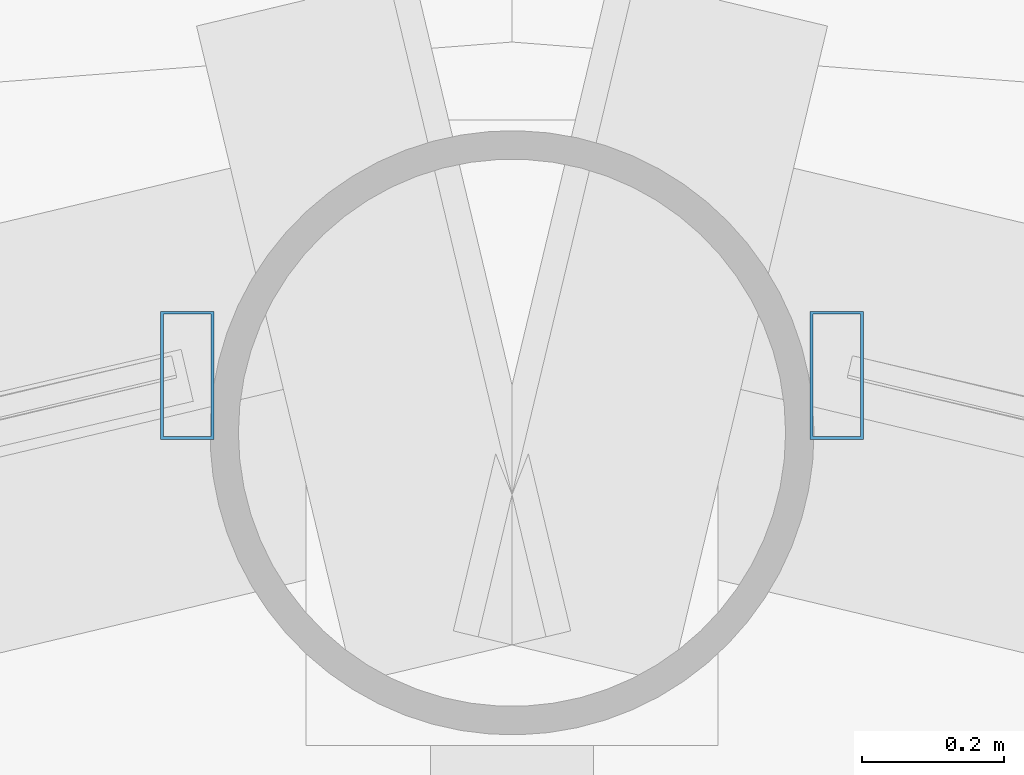
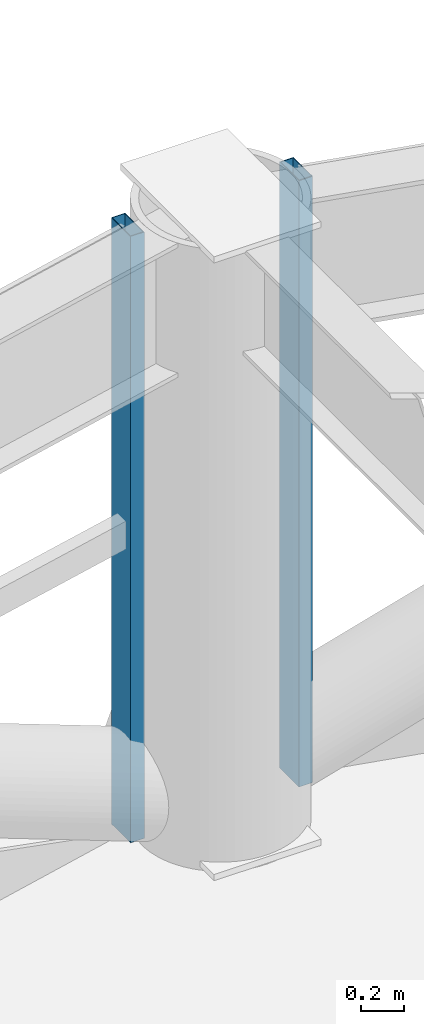
# One storey, part 17 of 30: 2 members, 2 elements without a shape of their own.
"""IFC4 building model written with IfcOpenShell, lengths in metres."""

import ifcopenshell
import ifcopenshell.guid

model = None  # the IFC model being written
_history = None  # IfcOwnerHistory: only IFC2X3 demands one
_inside = {}  # id of a spatial element -> (the spatial element, [elements in it])
_under = {}  # id of a project, library or spatial element -> (it, [spatial elements below it])
_declared = {}  # id of a project -> (the project, [libraries it declares])
_typed = {}  # id of a type object -> (the type object, [elements of that type])
_made_of = {}  # id of a material, layer set ... -> (it, [elements and type objects made of it])


def new_model(schema):
    """Start an empty IFC model of exactly this schema.

    Asked for "IFC4X3", IfcOpenShell would pick the latest addendum, in which some entities
    have other attributes; the version numbers below select the first issue.
    IFC2X3 requires an IfcOwnerHistory on every rooted entity: one is made here for all.
    """
    global model, _history
    if schema == "IFC4X3":
        model = ifcopenshell.file(schema_version=(4, 3, 0, 0))
    else:
        model = ifcopenshell.file(schema=schema)
    _inside.clear()
    _under.clear()
    _declared.clear()
    _typed.clear()
    _made_of.clear()
    _history = None
    if model.schema == "IFC2X3":
        org = make("IfcOrganization", Name="unknown")
        user = make(
            "IfcPersonAndOrganization",
            ThePerson=make("IfcPerson", FamilyName="unknown"),
            TheOrganization=org,
        )
        app = make(
            "IfcApplication",
            ApplicationDeveloper=org,
            Version="unknown",
            ApplicationFullName="unknown",
            ApplicationIdentifier="unknown",
        )
        _history = make(
            "IfcOwnerHistory",
            OwningUser=user,
            OwningApplication=app,
            ChangeAction="ADDED",
            CreationDate=0,
        )
    return model


def make(cls, **values):
    """One entity of the class cls with the attributes given. An attribute that is None is left unset."""
    return model.create_entity(
        cls, **{name: value for name, value in values.items() if value is not None}
    )


def rooted(cls, **values):
    """An entity with a GlobalId (a new one), such as an element, a storey or a relation."""
    return make(cls, GlobalId=ifcopenshell.guid.new(), OwnerHistory=_history, **values)


def si_unit(unit_type, name, prefix=None):
    """IfcSIUnit, for example si_unit("LENGTHUNIT", "METRE", prefix="MILLI")."""
    return make("IfcSIUnit", UnitType=unit_type, Prefix=prefix, Name=name)


def assignment(units):
    """IfcUnitAssignment: the units of a project."""
    return None if units is None else make("IfcUnitAssignment", Units=units)


def point(xyz):
    """IfcCartesianPoint."""
    return None if xyz is None else make("IfcCartesianPoint", Coordinates=xyz)


def direction(xyz):
    """IfcDirection."""
    return None if xyz is None else make("IfcDirection", DirectionRatios=xyz)


def frame(location, z_axis=None, x_axis=None):
    """IfcAxis2Placement3D, a coordinate frame: its origin and axes. An axis left out is left unset."""
    return make(
        "IfcAxis2Placement3D",
        Location=point(location),
        Axis=direction(z_axis),
        RefDirection=direction(x_axis),
    )


def frame_2d(location, x_axis=None):
    """IfcAxis2Placement2D, a coordinate frame in the plane: its origin and x axis."""
    return make(
        "IfcAxis2Placement2D", Location=point(location), RefDirection=direction(x_axis)
    )


def origin():
    """The frame at (0, 0, 0) with its axes left unset."""
    return frame((0.0, 0.0, 0.0))


def origin_2d():
    """The frame at (0, 0) in the plane with its x axis left unset."""
    return frame_2d((0.0, 0.0))


def place(relative_to, where):
    """IfcLocalPlacement: puts the frame where relative to a parent placement (None: the world)."""
    return make(
        "IfcLocalPlacement", PlacementRelTo=relative_to, RelativePlacement=where
    )


def context(
    kind, dimensions, precision=None, world=None, true_north=None, identifier=None
):
    """IfcGeometricRepresentationContext, for example the 3D "Model" context."""
    return make(
        "IfcGeometricRepresentationContext",
        ContextIdentifier=identifier,
        ContextType=kind,
        CoordinateSpaceDimension=dimensions,
        Precision=precision,
        WorldCoordinateSystem=world,
        TrueNorth=true_north,
    )


def subcontext(parent, identifier, kind, view, scale=None):
    """IfcGeometricRepresentationSubContext, for example "Body" below "Model"."""
    return make(
        "IfcGeometricRepresentationSubContext",
        ContextIdentifier=identifier,
        ContextType=kind,
        ParentContext=parent,
        TargetScale=scale,
        TargetView=view,
    )


def project(units=None, contexts=None):
    """IfcProject with its units and contexts."""
    return rooted(
        "IfcProject",
        Name="project",
        RepresentationContexts=contexts,
        UnitsInContext=assignment(units),
    )


def spatial(cls, under=None, at=None, **own):
    """A site, building, storey or space (cls), placed at a placement, below another one or the project."""
    s = rooted(cls, ObjectPlacement=at, **own)
    if under is not None:
        _under.setdefault(under.id(), (under, []))[1].append(s)
    return s


def profile(cls, at=None, kind="AREA", **sizes):
    """A parametric profile (cls). Its sizes go by their IFC names, for example OverallWidth=200.0."""
    return make(cls, ProfileType=kind, Position=at, **sizes)


def hollow_rectangle(**sizes):
    """IfcRectangleHollowProfileDef."""
    return profile("IfcRectangleHollowProfileDef", **sizes)


def extrude(swept, where, along, depth):
    """IfcExtrudedAreaSolid: the profile swept, set in the frame where, extruded along a direction by depth."""
    return make(
        "IfcExtrudedAreaSolid",
        SweptArea=swept,
        Position=where,
        ExtrudedDirection=direction(along),
        Depth=depth,
    )


def shape(context_of_items, identifier, shape_type, items):
    """IfcShapeRepresentation: the items that make up one representation, for example the "Body"."""
    return make(
        "IfcShapeRepresentation",
        ContextOfItems=context_of_items,
        RepresentationIdentifier=identifier,
        RepresentationType=shape_type,
        Items=items,
    )


def material(Name=None, Category=None):
    """IfcMaterial."""
    return make("IfcMaterial", Name=Name, Category=Category)


def layer(
    of_material, thickness, ventilated=None, Name=None, Category=None, Priority=None
):
    """IfcMaterialLayer: one layer of a wall or slab, of a material (None: an air gap)."""
    return make(
        "IfcMaterialLayer",
        Material=of_material,
        LayerThickness=thickness,
        IsVentilated=ventilated,
        Name=Name,
        Category=Category,
        Priority=Priority,
    )


def layer_set(layers, Name=None):
    """IfcMaterialLayerSet."""
    return make("IfcMaterialLayerSet", MaterialLayers=layers, LayerSetName=Name)


def material_profile(
    of_material, cross_section, Name=None, Category=None, Priority=None
):
    """IfcMaterialProfile: a cross section and its material."""
    return make(
        "IfcMaterialProfile",
        Name=Name,
        Material=of_material,
        Profile=cross_section,
        Priority=Priority,
        Category=Category,
    )


def profile_set(profiles, Name=None, composite=None):
    """IfcMaterialProfileSet."""
    return make(
        "IfcMaterialProfileSet",
        Name=Name,
        MaterialProfiles=profiles,
        CompositeProfile=composite,
    )


def made_of(thing, what):
    """Note that an element or type object is made of a material, layer set ...; save() writes the relation."""
    if what is not None:
        _made_of.setdefault(what.id(), (what, []))[1].append(thing)
    return thing


def type_object(cls, material=None, **own):
    """A type object (cls), such as IfcWallType, which elements share."""
    return made_of(rooted(cls, **own), material)


def element(
    cls,
    number,
    at=None,
    inside=None,
    cuts=None,
    type_object=None,
    material=None,
    context=None,
    identifier="Body",
    shape_type=None,
    held_by="IfcProductDefinitionShape",
    body=None,
    shapes=None,
    **own,
):
    """One element of the class cls, such as IfcWall. Its Tag is "e" and its number.

    at: its placement. inside: the storey or other place that contains it. cuts: it is an
    opening in that element (IfcRelVoidsElement). A single representation is given by context,
    identifier, shape_type and body (its items); several are given by shapes. held_by: the class
    of the entity that holds the representations. save() writes the other relations.
    """
    e = rooted(cls, Tag="e%d" % number, ObjectPlacement=at, **own)
    if body is not None:
        shapes = [shape(context, identifier, shape_type, body)]
    if shapes is not None:
        e.Representation = make(held_by, Representations=shapes)
    if inside is not None:
        _inside.setdefault(inside.id(), (inside, []))[1].append(e)
    if cuts is not None:
        rooted(
            "IfcRelVoidsElement", RelatingBuildingElement=cuts, RelatedOpeningElement=e
        )
    if type_object is not None:
        _typed.setdefault(type_object.id(), (type_object, []))[1].append(e)
    return made_of(e, material)


def aggregate(whole, parts):
    """IfcRelAggregates: a whole, such as a stair, and the parts it consists of."""
    return rooted("IfcRelAggregates", RelatingObject=whole, RelatedObjects=parts)


def save(model, path):
    """Write the relations noted so far, then the file.

    IfcRelAggregates (storeys below a building ...), IfcRelContainedInSpatialStructure (elements
    in a storey), IfcRelDefinesByType, IfcRelAssociatesMaterial and IfcRelDeclares: one each for
    every whole, place, type object, material and project.
    """
    for whole, parts in _under.values():
        aggregate(whole, parts)
    for where, things in _inside.values():
        rooted(
            "IfcRelContainedInSpatialStructure",
            RelatedElements=things,
            RelatingStructure=where,
        )
    for kind, things in _typed.values():
        rooted("IfcRelDefinesByType", RelatedObjects=things, RelatingType=kind)
    for what, things in _made_of.values():
        rooted("IfcRelAssociatesMaterial", RelatedObjects=things, RelatingMaterial=what)
    for by, libraries in _declared.values():
        rooted("IfcRelDeclares", RelatingContext=by, RelatedDefinitions=libraries)
    model.write(path)


model = new_model("IFC4")

# Units and contexts
model_context = context("Model", 3, precision=1e-05, world=origin(), true_north=direction((0.0, 1.0)))
body_context = subcontext(model_context, "Body", "Model", "MODEL_VIEW")
ifc_project = project(units=[si_unit("LENGTHUNIT", "METRE"), si_unit("AREAUNIT", "SQUARE_METRE"), si_unit("VOLUMEUNIT", "CUBIC_METRE"), si_unit("PLANEANGLEUNIT", "RADIAN"), si_unit("MASSUNIT", "GRAM", prefix="KILO")], contexts=[model_context])

# Site, building, storey
site_placement = place(None, origin())
site = spatial("IfcSite", under=ifc_project, at=site_placement, CompositionType="ELEMENT")
building_placement = place(site_placement, origin())
building = spatial("IfcBuilding", under=site, at=building_placement, Name="Vantalir Tower", CompositionType="ELEMENT")
storey_placement = place(building_placement, frame((0.0, 0.0, 79.5)))
storey = spatial("IfcBuildingStorey", under=building, at=storey_placement, Name="L19", CompositionType="ELEMENT", Elevation=79.5)

# Curtain wall, member
ifc_material_1 = material(Name="Champagne-silver PVDF aluminium and double-silver Low-E glass", Category="aluminium")
ifc_layer = layer(ifc_material_1, 0.18994140625)
ifc_layer_set = layer_set([ifc_layer], Name="Champagne-silver PVDF aluminium and double-silver Low-E glass")
curtain_wall_type = type_object("IfcCurtainWallType", Name="CW-DIAMOND-Z1", PredefinedType="USERDEFINED", material=ifc_layer_set)
curtain_wall_1_placement = place(storey_placement, origin())
curtain_wall_1 = element("IfcCurtainWall", 1, at=curtain_wall_1_placement, inside=storey, type_object=curtain_wall_type, Name="L19 Quilted Pyramid-Diamond Curtain Wall S03", ObjectType="UNITISED CURTAIN WALL", PredefinedType="USERDEFINED")
ifc_material_2 = material(Name="Champagne-silver PVDF aluminium 6063-T6", Category="aluminium")
ifc_material_profile = material_profile(ifc_material_2, hollow_rectangle(XDim=0.074951171875, YDim=0.179931640625, WallThickness=0.00390625, at=origin_2d()), Name="Champagne-silver PVDF aluminium 6063-T6")
ifc_profile_set = profile_set([ifc_material_profile], Name="Champagne-silver PVDF aluminium 6063-T6")
member_type = type_object("IfcMemberType", Name="CWM-180x75", PredefinedType="MULLION", material=ifc_profile_set)
member_1_placement = place(storey_placement, frame((31.95703125, 49.575927734375, 0.044921875), z_axis=(0.0, 0.0, 1.0), x_axis=(1.0, 0.0, 0.0)))
member_1 = element("IfcMember", 2, at=member_1_placement, type_object=member_type, Name="CW-L19-S03 Mullion 2", PredefinedType="MULLION", context=body_context, shape_type="SweptSolid", body=[
    extrude(hollow_rectangle(XDim=0.074951171875, YDim=0.179931640625, WallThickness=0.00390625, at=origin_2d()), origin(), (0.0, 0.0, 1.0), 3.47998046875),
])
aggregate(curtain_wall_1, [member_1])

curtain_wall_2_placement = place(storey_placement, origin())
curtain_wall_2 = element("IfcCurtainWall", 3, at=curtain_wall_2_placement, inside=storey, type_object=curtain_wall_type, Name="L19 Quilted Pyramid-Diamond Curtain Wall S04", ObjectType="UNITISED CURTAIN WALL", PredefinedType="USERDEFINED")
member_2_placement = place(storey_placement, frame((31.04296875, 49.575927734375, 0.044921875), z_axis=(0.0, 0.0, 1.0), x_axis=(1.0, 0.0, 0.0)))
member_2 = element("IfcMember", 4, at=member_2_placement, type_object=member_type, Name="CW-L19-S04 Mullion 1", PredefinedType="MULLION", context=body_context, shape_type="SweptSolid", body=[
    extrude(hollow_rectangle(XDim=0.074951171875, YDim=0.179931640625, WallThickness=0.00390625, at=origin_2d()), origin(), (0.0, 0.0, 1.0), 3.47998046875),
])
aggregate(curtain_wall_2, [member_2])

save(model, "model.ifc")
